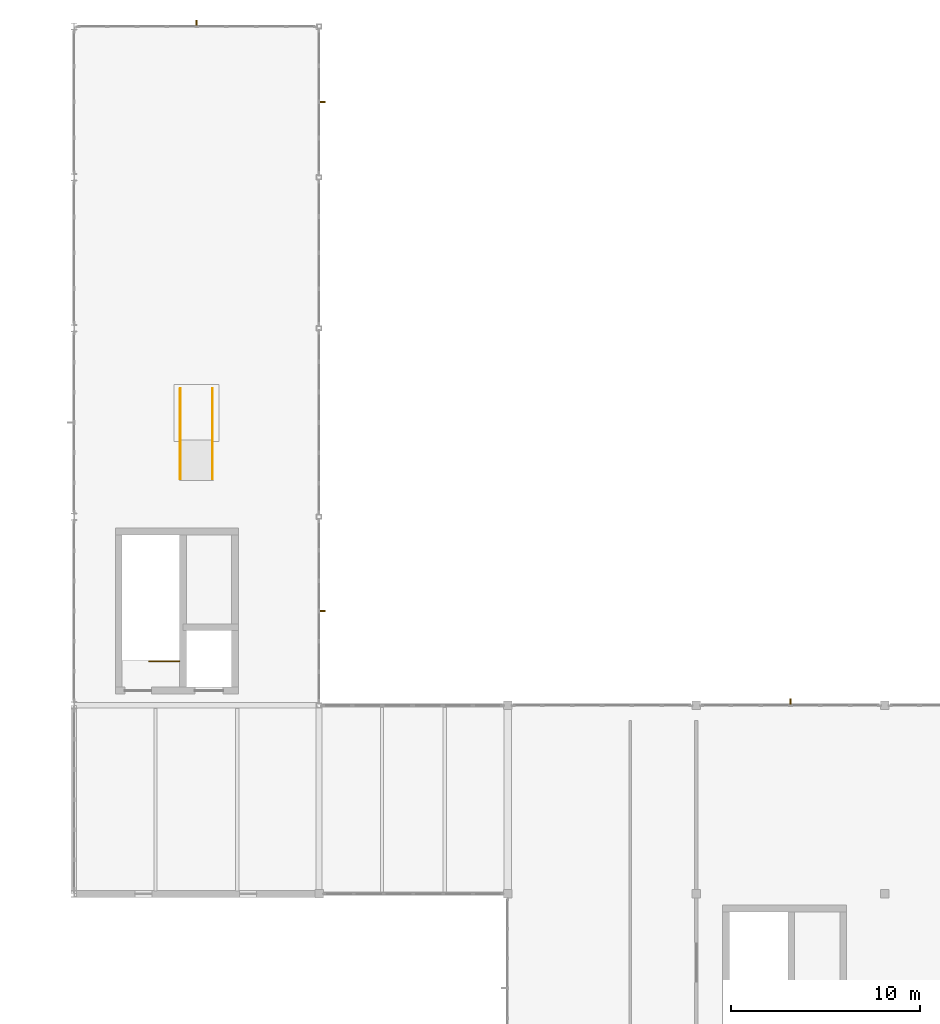
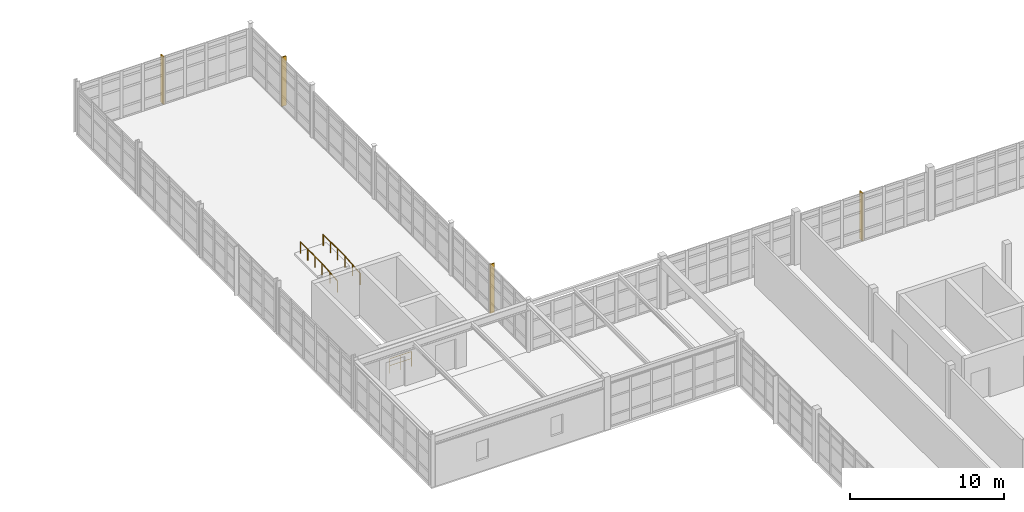
# One storey, part 122 of 122: 4 shading devices, 3 railings.
"""IFC4 building model written with IfcOpenShell, lengths in metres."""

from ifc_helpers import new_model, si_unit, direction, frame, origin, origin_2d, place, context, subcontext, project, spatial, rectangle, circle, extrude, material, type_object, element, save


model = new_model("IFC4")

# Units and contexts
model_context = context("Model", 3, precision=1e-05, world=origin(), true_north=direction((0.0, 1.0)))
body_context = subcontext(model_context, "Body", "Model", "MODEL_VIEW")
ifc_project = project(units=[si_unit("LENGTHUNIT", "METRE"), si_unit("AREAUNIT", "SQUARE_METRE"), si_unit("VOLUMEUNIT", "CUBIC_METRE"), si_unit("PLANEANGLEUNIT", "RADIAN"), si_unit("MASSUNIT", "GRAM", prefix="KILO"), si_unit("THERMODYNAMICTEMPERATUREUNIT", "KELVIN"), si_unit("POWERUNIT", "WATT")], contexts=[model_context])

# Site, building, storey
site_placement = place(None, origin())
site = spatial("IfcSite", under=ifc_project, at=site_placement, CompositionType="ELEMENT")
building_placement = place(site_placement, origin())
building = spatial("IfcBuilding", under=site, at=building_placement, Name="Korenveer Ferry Terminal", CompositionType="ELEMENT")
storey_placement = place(building_placement, frame((0.0, 0.0, 10.199951171875)))
storey = spatial("IfcBuildingStorey", under=building, at=storey_placement, Name="L02", CompositionType="ELEMENT", Elevation=10.199951171875)

# Shading devices
ifc_material_1 = material(Name="Anodised bronze aluminium solar fin", Category="aluminium")
shading_device_type = type_object("IfcShadingDeviceType", Name="ENV-SHD-FIN", PredefinedType="JALOUSIE", material=ifc_material_1)
for number, where, z_axis, x_axis, name in (
    (1, (161.0, 80.159912109375, -0.02001953125), (0.0, 0.0, 1.0), (0.0, 1.0, 0.0), "Gothic solar fin 48"),
    (2, (129.5068359375, 116.159912109375, -0.02001953125), (0.0, 0.0, 1.0), (0.0, 1.0, 0.0), "Gothic solar fin 49"),
):
    element("IfcShadingDevice", number, at=place(storey_placement, frame(where, z_axis=z_axis, x_axis=x_axis)), inside=storey, type_object=shading_device_type, Name=name, PredefinedType="JALOUSIE", context=body_context, shape_type="SweptSolid", body=[
        extrude(rectangle(XDim=0.360107421875, YDim=0.080078125, at=origin_2d()), origin(), (0.0, 0.0, 1.0), 3.780029296875),
    ])
for number, where, z_axis, x_axis, name in (
    (3, (136.159912109375, 85.0, -0.019775390625), (0.0, 0.0, 1.0), (1.0, 0.0, 0.0), "Gothic solar fin 57"),
    (4, (136.159912109375, 112.0, -0.019775390625), (0.0, 0.0, 1.0), (1.0, 0.0, 0.0), "Gothic solar fin 58"),
):
    element("IfcShadingDevice", number, at=place(storey_placement, frame(where, z_axis=z_axis, x_axis=x_axis)), inside=storey, type_object=shading_device_type, Name=name, PredefinedType="JALOUSIE", context=body_context, shape_type="SweptSolid", body=[
        extrude(rectangle(XDim=0.360107421875, YDim=0.080078125, at=origin_2d()), origin(), (0.0, 0.0, 1.0), 3.8798828125),
    ])

# Railings
ifc_material_2 = material(Name="Brushed stainless steel ramp handrail", Category="steel")
railing_type_1 = type_object("IfcRailingType", Name="INT-RL-RMPHND", PredefinedType="HANDRAIL", material=ifc_material_2)
for number, where, name in (
    (5, (128.64990234375, 92.0, 0.0), "East Boarding Bridge Accessible Ramp handrail W"),
    (6, (130.35009765625, 92.0, 0.0), "East Boarding Bridge Accessible Ramp handrail E"),
):
    element("IfcRailing", number, at=place(storey_placement, frame(where)), inside=storey, type_object=railing_type_1, Name=name, PredefinedType="HANDRAIL", context=body_context, shape_type="SweptSolid", body=[
        extrude(circle(Radius=0.02392578125, at=origin_2d()), frame((0.0, 0.0, 0.8759765625), z_axis=(0.0, 0.996809085095, 0.079822602517), x_axis=(-1.0, 0.0, 0.0)), (0.0, 0.0, 1.0), 2.00634765625),
        extrude(circle(Radius=0.02392578125, at=origin_2d()), frame((0.0, 2.0, 1.0361328125), z_axis=(0.0, 1.0, 0.0), x_axis=(-1.0, 0.0, 0.0)), (0.0, 0.0, 1.0), 2.800048828125),
        extrude(circle(Radius=0.02099609375, at=origin_2d()), origin(), (0.0, 0.0, 1.0), 0.851806640625),
        extrude(circle(Radius=0.02099609375, at=origin_2d()), frame((0.0, 1.0, 0.080078125)), (0.0, 0.0, 1.0), 0.851806640625),
        extrude(circle(Radius=0.02099609375, at=origin_2d()), frame((0.0, 2.0, 0.16015625)), (0.0, 0.0, 1.0), 0.851806640625),
        extrude(circle(Radius=0.02099609375, at=origin_2d()), frame((0.0, 2.933349609375, 0.16015625)), (0.0, 0.0, 1.0), 0.851806640625),
        extrude(circle(Radius=0.02099609375, at=origin_2d()), frame((0.0, 3.86669921875, 0.16015625)), (0.0, 0.0, 1.0), 0.851806640625),
        extrude(circle(Radius=0.02099609375, at=origin_2d()), frame((0.0, 4.800048828125, 0.16015625)), (0.0, 0.0, 1.0), 0.851806640625),
    ])
ifc_material_3 = material(Name="Painted steel stair guard", Category="steel")
railing_type_2 = type_object("IfcRailingType", Name="INT-RL-STGRD", PredefinedType="GUARDRAIL", material=ifc_material_3)
railing_placement = place(storey_placement, frame((128.60009765625, 82.330078125, 0.0)))
element("IfcRailing", 7, at=railing_placement, inside=storey, type_object=railing_type_2, Name="L02 ST08 top well guard 1", PredefinedType="GUARDRAIL", context=body_context, shape_type="SweptSolid", body=[
    extrude(circle(Radius=0.02392578125, at=origin_2d()), frame((0.0, 0.0, 1.17578125), z_axis=(-1.0, 0.0, 0.0), x_axis=(0.0, -1.0, 0.0)), (0.0, 0.0, 1.0), 1.6201171875),
    extrude(circle(Radius=0.01806640625, at=origin_2d()), frame((0.0, 0.0, 0.6240234375), z_axis=(-1.0, 0.0, 0.0), x_axis=(0.0, -1.0, 0.0)), (0.0, 0.0, 1.0), 1.6201171875),
    extrude(circle(Radius=0.02099609375, at=origin_2d()), origin(), (0.0, 0.0, 1.0), 1.15185546875),
    extrude(circle(Radius=0.02099609375, at=origin_2d()), frame((-0.81005859375, 0.0, 0.0)), (0.0, 0.0, 1.0), 1.15185546875),
    extrude(circle(Radius=0.02099609375, at=origin_2d()), frame((-1.6201171875, 0.0, 0.0)), (0.0, 0.0, 1.0), 1.15185546875),
])

save(model, "model.ifc")
